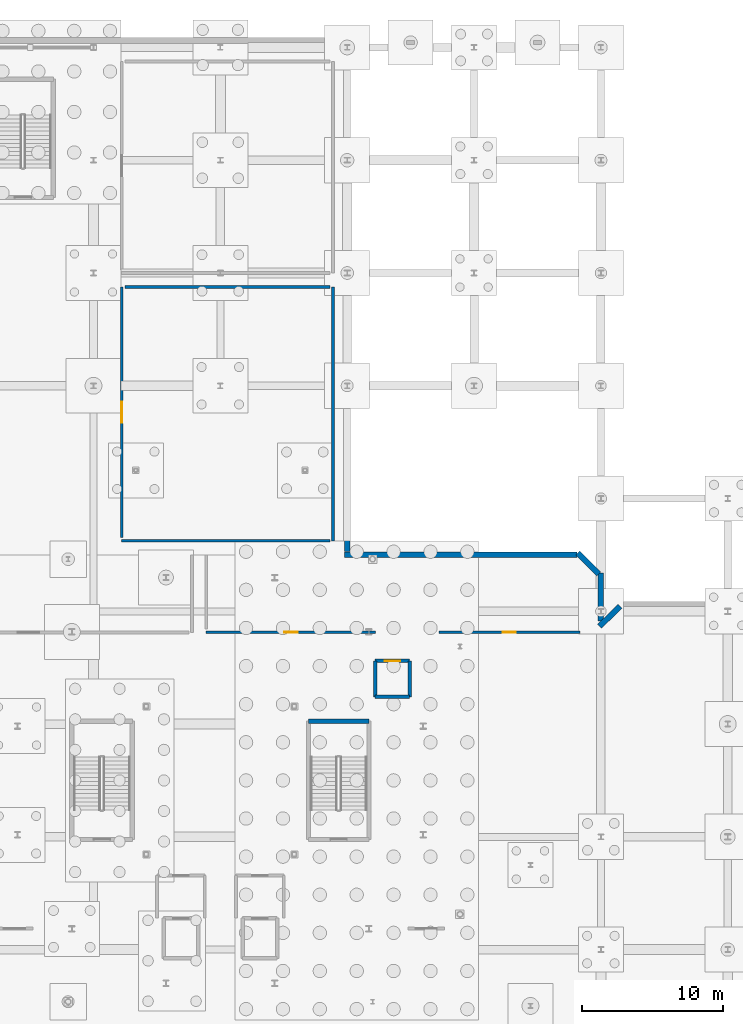
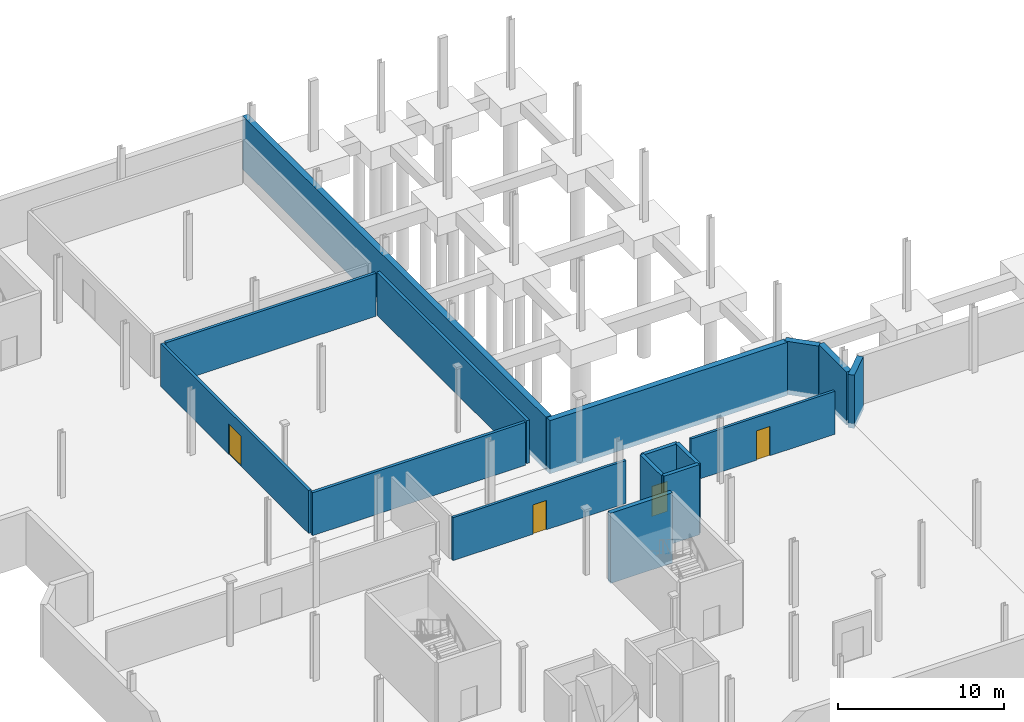
# One storey, part 27 of 37: 16 walls, 4 doors, 4 openings.
"""IFC4 building model written with IfcOpenShell, lengths in metres."""

from ifc_helpers import new_model, si_unit, direction, frame, frame_2d, origin, place, context, subcontext, project, spatial, rectangle, extrude, material, layer, layer_set, type_object, element, fill, save


model = new_model("IFC4")

# Units and contexts
model_context = context("Model", 3, precision=1e-05, world=origin(), true_north=direction((0.0, 1.0)))
body_context = subcontext(model_context, "Body", "Model", "MODEL_VIEW")
ifc_project = project(units=[si_unit("LENGTHUNIT", "METRE"), si_unit("AREAUNIT", "SQUARE_METRE"), si_unit("VOLUMEUNIT", "CUBIC_METRE"), si_unit("PLANEANGLEUNIT", "RADIAN"), si_unit("MASSUNIT", "GRAM", prefix="KILO"), si_unit("THERMODYNAMICTEMPERATUREUNIT", "KELVIN"), si_unit("POWERUNIT", "WATT")], contexts=[model_context])

# Site, building, storey
site_placement = place(None, origin())
site = spatial("IfcSite", under=ifc_project, at=site_placement, CompositionType="ELEMENT")
building_placement = place(site_placement, origin())
building = spatial("IfcBuilding", under=site, at=building_placement, Name="Zelmaris Science Centre", CompositionType="ELEMENT")
storey_placement = place(building_placement, frame((0.0, 0.0, -4.800048828125)))
storey = spatial("IfcBuildingStorey", under=building, at=storey_placement, Name="B1", CompositionType="ELEMENT", Elevation=-4.800048828125)

# Walls
ifc_material_1 = material(Name="Concrete C40/50", Category="concrete")
ifc_layer_1 = layer(ifc_material_1, 0.300048828125, Name="Concrete C40/50")
ifc_layer_set_1 = layer_set([ifc_layer_1], Name="Concrete C40/50")
wall_type_1 = type_object("IfcWallType", Name="Core Shear Wall CW-S1 300mm", PredefinedType="SOLIDWALL", material=ifc_layer_set_1)
wall_1_placement = place(storey_placement, frame((91.550048828125, 40.199951171875, -0.349853515625), z_axis=(0.0, 0.0, 1.0), x_axis=(-1.0, 0.0, 0.0)))
element("IfcWall", 1, at=wall_1_placement, inside=storey, type_object=wall_type_1, Name="B1 ST-2 core shear wall far", PredefinedType="SOLIDWALL", context=body_context, shape_type="SweptSolid", body=[
    extrude(rectangle(XDim=4.300048828125, YDim=0.300048828125, at=frame_2d((2.14990234375, 0.0))), origin(), (0.0, 0.0, 1.0), 5.14990234375),
])
ifc_layer_2 = layer(ifc_material_1, 0.25, Name="Concrete C40/50")
ifc_layer_set_2 = layer_set([ifc_layer_2], Name="Concrete C40/50")
wall_type_2 = type_object("IfcWallType", Name="Core Shear Wall CW-S2 250mm", PredefinedType="SOLIDWALL", material=ifc_layer_set_2)
wall_2_placement = place(storey_placement, frame((91.97509765625, 41.925048828125, -0.349853515625), z_axis=(0.0, 0.0, 1.0), x_axis=(1.0, 0.0, 0.0)))
element("IfcWall", 2, at=wall_2_placement, inside=storey, type_object=wall_type_2, Name="B1 LP-01 lift shaft wall -y", PredefinedType="SOLIDWALL", context=body_context, shape_type="SweptSolid", body=[
    extrude(rectangle(XDim=2.449951171875, YDim=0.25, at=frame_2d((1.22509765625, 0.0))), origin(), (0.0, 0.0, 1.0), 5.14990234375),
])
wall_3_placement = place(storey_placement, frame((94.425048828125, 41.925048828125, -0.349853515625), z_axis=(0.0, 0.0, 1.0), x_axis=(0.0, 1.0, 0.0)))
element("IfcWall", 3, at=wall_3_placement, inside=storey, type_object=wall_type_2, Name="B1 LP-01 lift shaft wall +x", PredefinedType="SOLIDWALL", context=body_context, shape_type="SweptSolid", body=[
    extrude(rectangle(XDim=2.550048828125, YDim=0.25, at=frame_2d((1.27490234375, 0.0))), origin(), (0.0, 0.0, 1.0), 5.14990234375),
])

# Wall, opening, door
wall_4_placement = place(storey_placement, frame((94.425048828125, 44.47509765625, -0.349853515625), z_axis=(0.0, 0.0, 1.0), x_axis=(-1.0, 0.0, 0.0)))
wall_4 = element("IfcWall", 4, at=wall_4_placement, inside=storey, type_object=wall_type_2, Name="B1 LP-01 lift shaft wall +y", PredefinedType="SOLIDWALL", context=body_context, shape_type="SweptSolid", body=[
    extrude(rectangle(XDim=2.449951171875, YDim=0.25, at=frame_2d((1.22509765625, 0.0))), origin(), (0.0, 0.0, 1.0), 5.14990234375),
])
opening_1_placement = place(wall_4_placement, frame((0.675048828125, 0.0, 0.35009765625)))
opening_1 = element("IfcOpeningElement", 5, at=opening_1_placement, cuts=wall_4, Name="Opening LD-01", PredefinedType="OPENING", context=body_context, shape_type="SweptSolid", body=[
    extrude(rectangle(XDim=1.10009765625, YDim=2.199951171875, at=frame_2d((0.550048828125, 1.10009765625))), frame((0.0, 0.135009765625, 0.0), z_axis=(0.0, -1.0, 0.0), x_axis=(1.0, 0.0, 0.0)), (0.0, 0.0, 1.0), 0.27001953125),
])
ifc_material_2 = material(Name="Steel ASTM A36", Category="steel")
door_type_1 = type_object("IfcDoorType", Name="Interior Door LD-01 1100x2200", OperationType="SLIDING_TO_LEFT", PredefinedType="DOOR", material=ifc_material_2)
door_1_placement = place(opening_1_placement, origin())
door_1 = element("IfcDoor", 6, at=door_1_placement, inside=storey, type_object=door_type_1, Name="Landing door LD-LP-01-B1", OperationType="SLIDING_TO_LEFT", OverallHeight=2.199951171875, OverallWidth=1.10009765625, PredefinedType="DOOR", context=body_context, shape_type="SweptSolid", body=[
    extrude(rectangle(XDim=1.10009765625, YDim=2.199951171875, at=frame_2d((0.550048828125, 1.10009765625))), frame((0.0, 0.02490234375, 0.0), z_axis=(0.0, -1.0, 0.0), x_axis=(1.0, 0.0, 0.0)), (0.0, 0.0, 1.0), 0.050048828125),
])
fill(opening_1, door_1)

# Walls
wall_5_placement = place(storey_placement, frame((91.97509765625, 44.47509765625, -0.349853515625), z_axis=(0.0, 0.0, 1.0), x_axis=(0.0, -1.0, 0.0)))
element("IfcWall", 7, at=wall_5_placement, inside=storey, type_object=wall_type_2, Name="B1 LP-01 lift shaft wall -x", PredefinedType="SOLIDWALL", context=body_context, shape_type="SweptSolid", body=[
    extrude(rectangle(XDim=2.550048828125, YDim=0.25, at=frame_2d((1.27490234375, 0.0))), origin(), (0.0, 0.0, 1.0), 5.14990234375),
])
ifc_material_3 = material(Name="Autoclaved aerated concrete blockwork", Category="masonry")
ifc_layer_3 = layer(ifc_material_3, 0.199951171875, Name="Autoclaved aerated concrete blockwork")
ifc_layer_set_3 = layer_set([ifc_layer_3], Name="Autoclaved aerated concrete blockwork")
wall_type_3 = type_object("IfcWallType", Name="Interior Wall FW-01 200mm", PredefinedType="SOLIDWALL", material=ifc_layer_set_3)
wall_6_placement = place(storey_placement, frame((89.0, 71.0, 0.0), z_axis=(0.0, 0.0, 1.0), x_axis=(0.0, -1.0, 0.0)))
element("IfcWall", 8, at=wall_6_placement, inside=storey, type_object=wall_type_3, Name="B1 Scientific Instrument Archive Vault partition 6", PredefinedType="SOLIDWALL", context=body_context, shape_type="SweptSolid", body=[
    extrude(rectangle(XDim=18.0, YDim=0.199951171875, at=frame_2d((9.0, 0.0))), origin(), (0.0, 0.0, 1.0), 3.150146484375),
])
wall_7_placement = place(storey_placement, frame((88.780029296875, 53.0, 0.0), z_axis=(0.0, 0.0, 1.0), x_axis=(-1.0, 0.0, 0.0)))
element("IfcWall", 9, at=wall_7_placement, inside=storey, type_object=wall_type_3, Name="B1 Scientific Instrument Archive Vault partition 7", PredefinedType="SOLIDWALL", context=body_context, shape_type="SweptSolid", body=[
    extrude(rectangle(XDim=14.775146484375, YDim=0.199951171875, at=frame_2d((7.3876953125, 0.0))), origin(), (0.0, 0.0, 1.0), 3.150146484375),
])

# Wall, opening, door
wall_8_placement = place(storey_placement, frame((74.0048828125, 53.219970703125, 0.0), z_axis=(0.0, 0.0, 1.0), x_axis=(0.0, 1.0, 0.0)))
wall_8 = element("IfcWall", 10, at=wall_8_placement, inside=storey, type_object=wall_type_3, Name="B1 Scientific Instrument Archive Vault partition 8", PredefinedType="SOLIDWALL", context=body_context, shape_type="SweptSolid", body=[
    extrude(rectangle(XDim=17.780029296875, YDim=0.199951171875, at=frame_2d((8.89013671875, 0.0))), origin(), (0.0, 0.0, 1.0), 3.150146484375),
])
opening_2_placement = place(wall_8_placement, frame((8.139892578125, 0.0, 0.0)))
opening_2 = element("IfcOpeningElement", 11, at=opening_2_placement, cuts=wall_8, Name="Opening D-IN5", PredefinedType="OPENING", context=body_context, shape_type="SweptSolid", body=[
    extrude(rectangle(XDim=1.5, YDim=2.199951171875, at=frame_2d((0.75, 1.10009765625))), frame((0.0, 0.10986328125, 0.0), z_axis=(0.0, -1.0, 0.0), x_axis=(1.0, 0.0, 0.0)), (0.0, 0.0, 1.0), 0.219970703125),
])
door_type_2 = type_object("IfcDoorType", Name="Interior Door D-IN5 1500x2200", OperationType="NOTDEFINED", PredefinedType="DOOR", material=ifc_material_2)
door_2_placement = place(opening_2_placement, origin())
door_2 = element("IfcDoor", 12, at=door_2_placement, inside=storey, type_object=door_type_2, Name="B1 Scientific Instrument Archive Vault door", OperationType="SINGLE_SWING_RIGHT", OverallHeight=2.199951171875, OverallWidth=1.5, PredefinedType="DOOR", context=body_context, shape_type="SweptSolid", body=[
    extrude(rectangle(XDim=1.5, YDim=2.199951171875, at=frame_2d((0.75, 1.10009765625))), frame((0.0, 0.02490234375, 0.0), z_axis=(0.0, -1.0, 0.0), x_axis=(1.0, 0.0, 0.0)), (0.0, 0.0, 1.0), 0.050048828125),
])
fill(opening_2, door_2)

# Wall
wall_9_placement = place(storey_placement, frame((74.22509765625, 71.0, 0.0), z_axis=(0.0, 0.0, 1.0), x_axis=(1.0, 0.0, 0.0)))
element("IfcWall", 13, at=wall_9_placement, inside=storey, type_object=wall_type_3, Name="B1 Scientific Instrument Archive Vault partition 9", PredefinedType="SOLIDWALL", context=body_context, shape_type="SweptSolid", body=[
    extrude(rectangle(XDim=14.554931640625, YDim=0.199951171875, at=frame_2d((7.27734375, 0.0))), origin(), (0.0, 0.0, 1.0), 3.150146484375),
])

# Wall, opening, door
ifc_layer_4 = layer(ifc_material_3, 0.179931640625, Name="Autoclaved aerated concrete blockwork")
ifc_layer_set_4 = layer_set([ifc_layer_4], Name="Autoclaved aerated concrete blockwork")
wall_type_4 = type_object("IfcWallType", Name="Interior Wall PT-04 180mm", PredefinedType="PARTITIONING", material=ifc_layer_set_4)
wall_10_placement = place(storey_placement, frame((92.0, 46.5048828125, 0.0), z_axis=(0.0, 0.0, 1.0), x_axis=(-1.0, 0.0, 0.0)))
wall_10 = element("IfcWall", 14, at=wall_10_placement, inside=storey, type_object=wall_type_4, Name="B1 Basement Public WC partition 3", PredefinedType="PARTITIONING", context=body_context, shape_type="SweptSolid", body=[
    extrude(rectangle(XDim=12.0, YDim=0.179931640625, at=frame_2d((6.0, 0.0))), origin(), (0.0, 0.0, 1.0), 3.150146484375),
])
opening_3_placement = place(wall_10_placement, frame((5.52490234375, 0.0, 0.0)))
opening_3 = element("IfcOpeningElement", 15, at=opening_3_placement, cuts=wall_10, Name="Opening D-IN2", PredefinedType="OPENING", context=body_context, shape_type="SweptSolid", body=[
    extrude(rectangle(XDim=0.949951171875, YDim=2.14990234375, at=frame_2d((0.47509765625, 1.074951171875))), frame((0.0, 0.099853515625, 0.0), z_axis=(0.0, -1.0, 0.0), x_axis=(1.0, 0.0, 0.0)), (0.0, 0.0, 1.0), 0.199951171875),
])
ifc_material_4 = material(Name="Solid tropical tzalam hardwood", Category="wood")
door_type_3 = type_object("IfcDoorType", Name="Interior Door D-IN2 950x2150", OperationType="NOTDEFINED", PredefinedType="DOOR", material=ifc_material_4)
door_3_placement = place(opening_3_placement, origin())
door_3 = element("IfcDoor", 16, at=door_3_placement, inside=storey, type_object=door_type_3, Name="B1 Basement Public WC door", OperationType="SINGLE_SWING_RIGHT", OverallHeight=2.14990234375, OverallWidth=0.949951171875, PredefinedType="DOOR", context=body_context, shape_type="SweptSolid", body=[
    extrude(rectangle(XDim=0.949951171875, YDim=2.14990234375, at=frame_2d((0.47509765625, 1.074951171875))), frame((0.0, 0.02490234375, 0.0), z_axis=(0.0, -1.0, 0.0), x_axis=(1.0, 0.0, 0.0)), (0.0, 0.0, 1.0), 0.050048828125),
])
fill(opening_3, door_3)

wall_11_placement = place(storey_placement, frame((106.5, 46.5048828125, 0.0), z_axis=(0.0, 0.0, 1.0), x_axis=(-1.0, 0.0, 0.0)))
wall_11 = element("IfcWall", 17, at=wall_11_placement, inside=storey, type_object=wall_type_4, Name="B1 Basement Accessible WC partition 5", PredefinedType="PARTITIONING", context=body_context, shape_type="SweptSolid", body=[
    extrude(rectangle(XDim=10.0, YDim=0.179931640625, at=frame_2d((5.0, 0.0))), origin(), (0.0, 0.0, 1.0), 3.150146484375),
])
opening_4_placement = place(wall_11_placement, frame((4.52490234375, 0.0, 0.0)))
opening_4 = element("IfcOpeningElement", 18, at=opening_4_placement, cuts=wall_11, Name="Opening D-IN2", PredefinedType="OPENING", context=body_context, shape_type="SweptSolid", body=[
    extrude(rectangle(XDim=0.949951171875, YDim=2.14990234375, at=frame_2d((0.47509765625, 1.074951171875))), frame((0.0, 0.099853515625, 0.0), z_axis=(0.0, -1.0, 0.0), x_axis=(1.0, 0.0, 0.0)), (0.0, 0.0, 1.0), 0.199951171875),
])
door_4_placement = place(opening_4_placement, origin())
door_4 = element("IfcDoor", 19, at=door_4_placement, inside=storey, type_object=door_type_3, Name="B1 Basement Accessible WC door", OperationType="SINGLE_SWING_LEFT", OverallHeight=2.14990234375, OverallWidth=0.949951171875, PredefinedType="DOOR", context=body_context, shape_type="SweptSolid", body=[
    extrude(rectangle(XDim=0.949951171875, YDim=2.14990234375, at=frame_2d((0.47509765625, 1.074951171875))), frame((0.0, 0.02490234375, 0.0), z_axis=(0.0, -1.0, 0.0), x_axis=(1.0, 0.0, 0.0)), (0.0, 0.0, 1.0), 0.050048828125),
])
fill(opening_4, door_4)

# Walls
ifc_layer_5 = layer(ifc_material_1, 0.39990234375, Name="Concrete C40/50")
ifc_layer_set_5 = layer_set([ifc_layer_5], Name="Concrete C40/50")
wall_type_5 = type_object("IfcWallType", Name="Retaining Wall RW-01 400mm", PredefinedType="USERDEFINED", material=ifc_layer_set_5)
wall_12_placement = place(storey_placement, frame((90.0, 88.699951171875, -0.349853515625), z_axis=(0.0, 0.0, 1.0), x_axis=(0.0, -1.0, 0.0)))
element("IfcWall", 20, at=wall_12_placement, inside=storey, type_object=wall_type_5, Name="B1 Perimeter retaining wall 18", ObjectType="RETAININGWALL", PredefinedType="USERDEFINED", context=body_context, shape_type="SweptSolid", body=[
    extrude(rectangle(XDim=36.449951171875, YDim=0.39990234375, at=frame_2d((18.22509765625, 0.0))), origin(), (0.0, 0.0, 1.0), 3.89990234375),
])
wall_13_placement = place(storey_placement, frame((89.826416015625, 52.006103515625, -0.349853515625), z_axis=(0.0, 0.0, 1.0), x_axis=(0.999999931364, -0.000370502079, 0.0)))
element("IfcWall", 21, at=wall_13_placement, inside=storey, type_object=wall_type_5, Name="B1 Perimeter retaining wall 19", ObjectType="RETAININGWALL", PredefinedType="USERDEFINED", context=body_context, shape_type="SweptSolid", body=[
    extrude(rectangle(XDim=16.4736328125, YDim=0.39990234375, at=frame_2d((8.23681640625, 0.0))), origin(), (0.0, 0.0, 1.0), 3.89990234375),
])
wall_14_placement = place(storey_placement, frame((106.358642578125, 52.141357421875, -0.349853515625), z_axis=(0.0, 0.0, 1.0), x_axis=(0.707049229664, -0.707164328025, 0.0)))
element("IfcWall", 22, at=wall_14_placement, inside=storey, type_object=wall_type_5, Name="B1 Perimeter retaining wall 20", ObjectType="RETAININGWALL", PredefinedType="USERDEFINED", context=body_context, shape_type="SweptSolid", body=[
    extrude(rectangle(XDim=2.12109375, YDim=0.39990234375, at=frame_2d((1.060546875, 0.0))), origin(), (0.0, 0.0, 1.0), 3.89990234375),
])
wall_15_placement = place(storey_placement, frame((108.0, 50.699951171875, -0.349853515625), z_axis=(0.0, 0.0, 1.0), x_axis=(0.0, -1.0, 0.0)))
element("IfcWall", 23, at=wall_15_placement, inside=storey, type_object=wall_type_5, Name="B1 Perimeter retaining wall 21", ObjectType="RETAININGWALL", PredefinedType="USERDEFINED", context=body_context, shape_type="SweptSolid", body=[
    extrude(rectangle(XDim=3.379150390625, YDim=0.39990234375, at=frame_2d((1.689453125, 0.0))), origin(), (0.0, 0.0, 1.0), 3.89990234375),
])
wall_16_placement = place(storey_placement, frame((107.90234375, 46.930908203125, -0.349853515625), z_axis=(0.0, 0.0, 1.0), x_axis=(0.713717323802, 0.700433852484, 0.0)))
element("IfcWall", 24, at=wall_16_placement, inside=storey, type_object=wall_type_5, Name="B1 Perimeter retaining wall 22", ObjectType="RETAININGWALL", PredefinedType="USERDEFINED", context=body_context, shape_type="SweptSolid", body=[
    extrude(rectangle(XDim=2.0400390625, YDim=0.39990234375, at=frame_2d((1.02001953125, 0.0))), origin(), (0.0, 0.0, 1.0), 3.89990234375),
])

save(model, "model.ifc")
